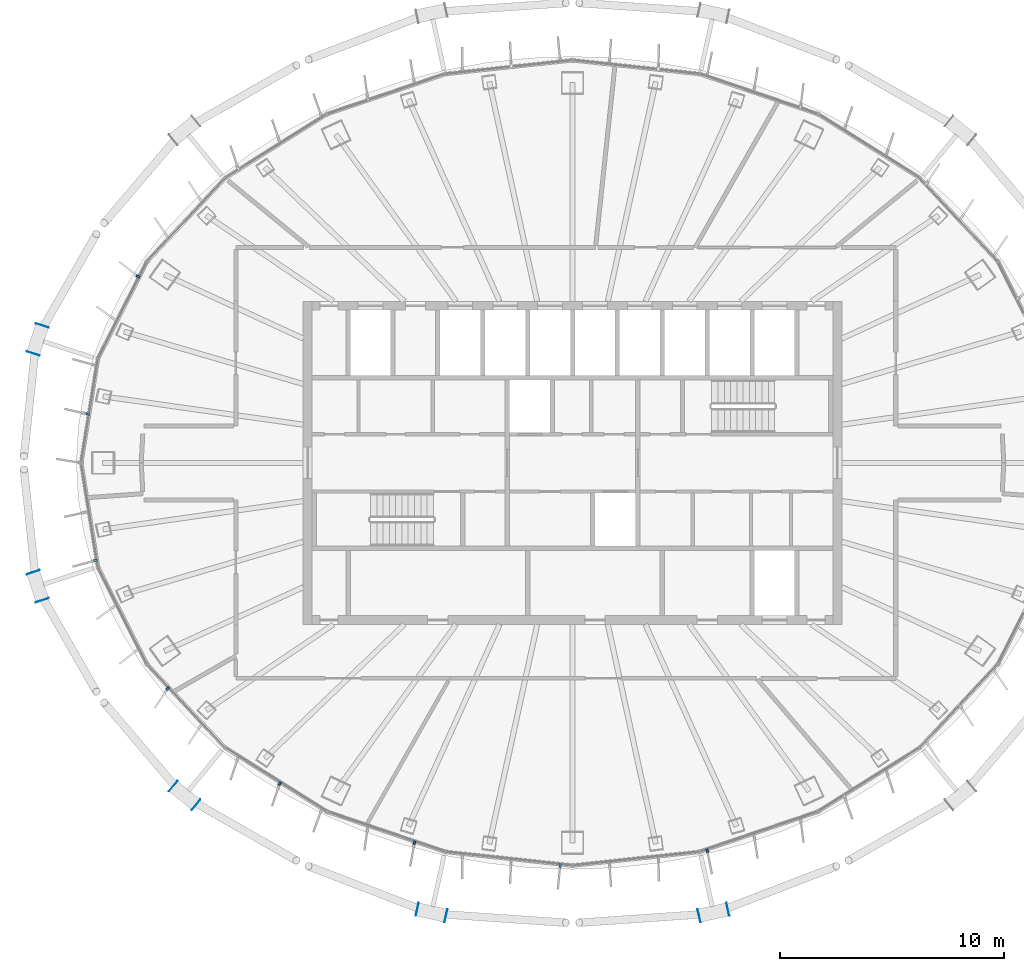
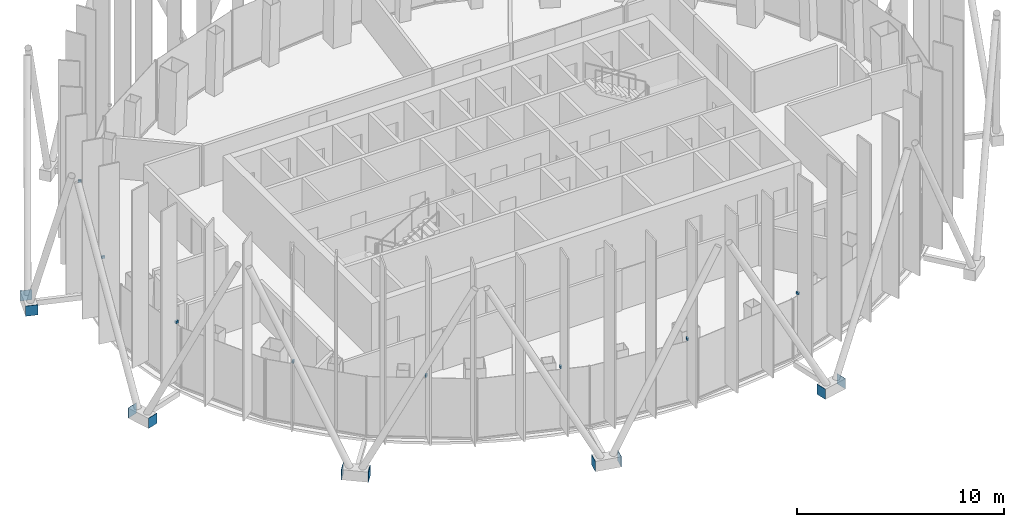
# One storey, part 13 of 19: 18 discrete accessories.
"""IFC4 building model written with IfcOpenShell, lengths in metres."""

from ifc_helpers import new_model, si_unit, direction, frame, origin, origin_2d, place, context, subcontext, project, spatial, rectangle, extrude, material, layer, layer_set, type_object, element, save


model = new_model("IFC4")

# Units and contexts
model_context = context("Model", 3, precision=1e-05, world=origin(), true_north=direction((0.0, 1.0)))
body_context = subcontext(model_context, "Body", "Model", "MODEL_VIEW")
ifc_project = project(units=[si_unit("LENGTHUNIT", "METRE"), si_unit("AREAUNIT", "SQUARE_METRE"), si_unit("VOLUMEUNIT", "CUBIC_METRE"), si_unit("PLANEANGLEUNIT", "RADIAN"), si_unit("MASSUNIT", "GRAM", prefix="KILO")], contexts=[model_context])

# Site, building, storey
site_placement = place(None, origin())
site = spatial("IfcSite", under=ifc_project, at=site_placement, CompositionType="ELEMENT")
building_placement = place(site_placement, origin())
building = spatial("IfcBuilding", under=site, at=building_placement, Name="Siaravel Broadcast Tower", CompositionType="ELEMENT")
storey_placement = place(building_placement, frame((0.0, 0.0, 217.10009765625)))
storey = spatial("IfcBuildingStorey", under=building, at=storey_placement, Name="L52", CompositionType="ELEMENT", Elevation=217.10009765625)

# Discrete accessories
ifc_material_1 = material(Name="Stainless steel 316", Category="steel")
discrete_accessory_type_1 = type_object("IfcDiscreteAccessoryType", Name="Stainless steel fin bracket", PredefinedType="USERDEFINED", material=ifc_material_1)
for number, where, z_axis, x_axis, name in (
    (1, (-19.35595703125, 8.305419921875, 3.6748046875), (0.0, 0.0, 1.0), (-0.892392939, 0.451259174, 0.0), "Fin bracket L52-25"),
    (2, (-21.597412109375, 2.17578125, 3.6748046875), (0.0, 0.0, 1.0), (-0.987329198, 0.158685394, 0.0), "Fin bracket L52-28"),
    (3, (-21.2490234375, -4.341796875, 3.6748046875), (0.0, 0.0, 1.0), (-0.987329198, -0.158685394, 0.0), "Fin bracket L52-31"),
    (4, (-18.02685546875, -10.046875, 3.6748046875), (0.0, 0.0, 1.0), (-0.729805608, -0.683654718, 0.0), "Fin bracket L52-34"),
    (5, (-13.041015625, -14.28515625, 3.6748046875), (0.0, 0.0, 1.0), (-0.532149452, -0.846650436, 0.0), "Fin bracket L52-37"),
    (6, (-7.040771484375, -16.92138671875, 3.6748046875), (0.0, 0.0, 1.0), (-0.321300635, -0.946977245, 0.0), "Fin bracket L52-40"),
    (7, (-0.5517578125, -17.93701171875, 3.6748046875), (0.0, 0.0, 1.0), (-0.107218518, -0.99423548, 0.0), "Fin bracket L52-43"),
    (8, (6.001953125, -17.273681640625, 3.6748046875), (0.0, 0.0, 1.0), (0.321300635, -0.946977245, 0.0), "Fin bracket L52-46"),
):
    element("IfcDiscreteAccessory", number, at=place(storey_placement, frame(where, z_axis=z_axis, x_axis=x_axis)), inside=storey, type_object=discrete_accessory_type_1, Name=name, ObjectType="BRACKET", PredefinedType="USERDEFINED", context=body_context, shape_type="SweptSolid", body=[
        extrude(rectangle(XDim=0.159912109375, YDim=0.10009765625, at=origin_2d()), origin(), (0.0, 0.0, 1.0), 0.139892578125),
    ])
ifc_material_2 = material(Name="Steel S355", Category="steel")
ifc_layer = layer(ifc_material_2, 0.02001953125)
ifc_layer_set = layer_set([ifc_layer], Name="Steel S355")
discrete_accessory_type_2 = type_object("IfcDiscreteAccessoryType", Name="Steel end plate 20 mm", PredefinedType="USERDEFINED", material=ifc_layer_set)
for number, where, z_axis, x_axis, name in (
    (9, (-24.0283203125, 4.87060546875, -0.500244140625), (0.0, 0.0, 1.0), (-0.310910334, -0.950439248, 0.0), "End plate R22 station 33A"),
    (10, (-23.619873046875, 6.119140625, -0.500244140625), (0.0, 0.0, 1.0), (-0.310910334, -0.950439248, 0.0), "End plate R22 station 33B"),
    (11, (-23.619873046875, -6.119140625, -0.500244140625), (0.0, 0.0, 1.0), (0.310910334, -0.950439248, 0.0), "End plate R22 station 39A"),
    (12, (-24.0283203125, -4.87060546875, -0.500244140625), (0.0, 0.0, 1.0), (0.310910334, -0.950439248, 0.0), "End plate R22 station 39B"),
    (13, (-16.77099609375, -15.231201171875, -0.500244140625), (0.0, 0.0, 1.0), (0.7736058, -0.633667158, 0.0), "End plate R22 station 45A"),
    (14, (-17.787109375, -14.399169921875, -0.500244140625), (0.0, 0.0, 1.0), (0.7736058, -0.633667158, 0.0), "End plate R22 station 45B"),
    (15, (-5.637451171875, -20.1708984375, -0.500244140625), (0.0, 0.0, 1.0), (0.976750917, -0.214377344, 0.0), "End plate R22 station 51A"),
    (16, (-6.92041015625, -19.88916015625, -0.500244140625), (0.0, 0.0, 1.0), (0.976750917, -0.214377344, 0.0), "End plate R22 station 51B"),
    (17, (6.92041015625, -19.88916015625, -0.500244140625), (0.0, 0.0, 1.0), (0.976750917, 0.214377344, 0.0), "End plate R22 station 57A"),
    (18, (5.637451171875, -20.1708984375, -0.500244140625), (0.0, 0.0, 1.0), (0.976750917, 0.214377344, 0.0), "End plate R22 station 57B"),
):
    element("IfcDiscreteAccessory", number, at=place(storey_placement, frame(where, z_axis=z_axis, x_axis=x_axis)), inside=storey, type_object=discrete_accessory_type_2, Name=name, ObjectType="END PLATE", PredefinedType="USERDEFINED", context=body_context, shape_type="SweptSolid", body=[
        extrude(rectangle(XDim=0.02001953125, YDim=0.60009765625, at=origin_2d()), origin(), (0.0, 0.0, 1.0), 0.60009765625),
    ])

save(model, "model.ifc")
